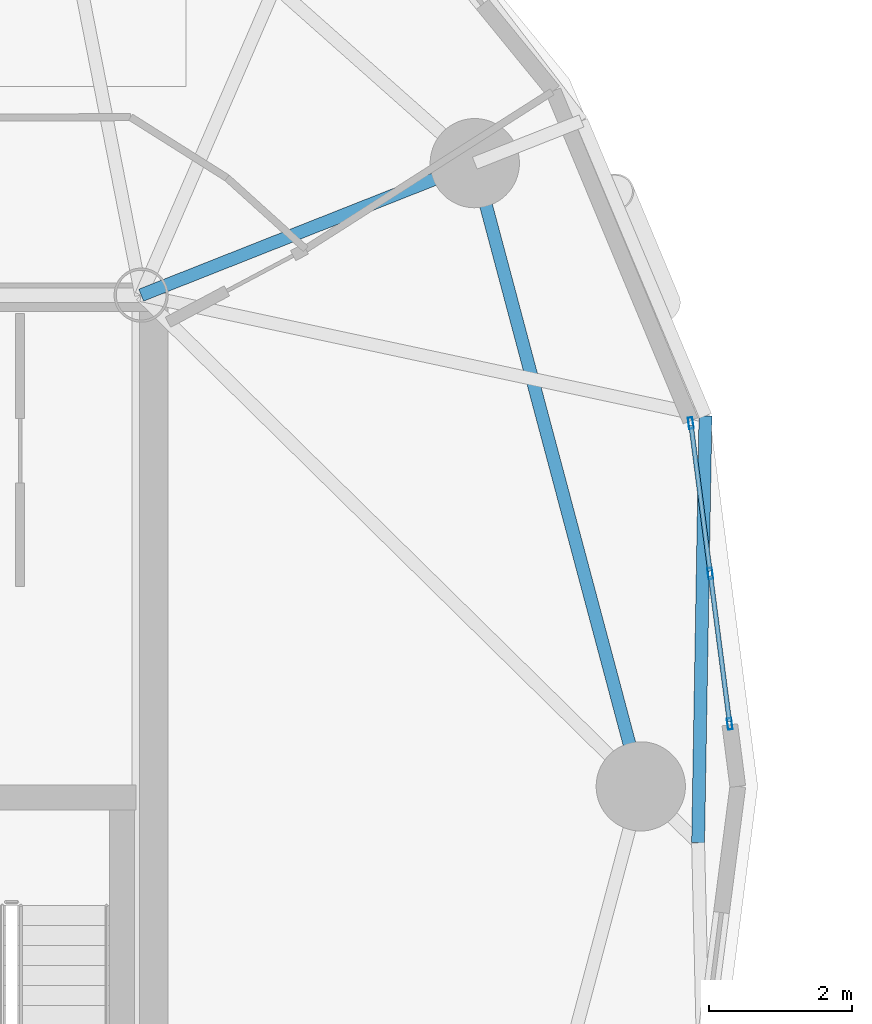
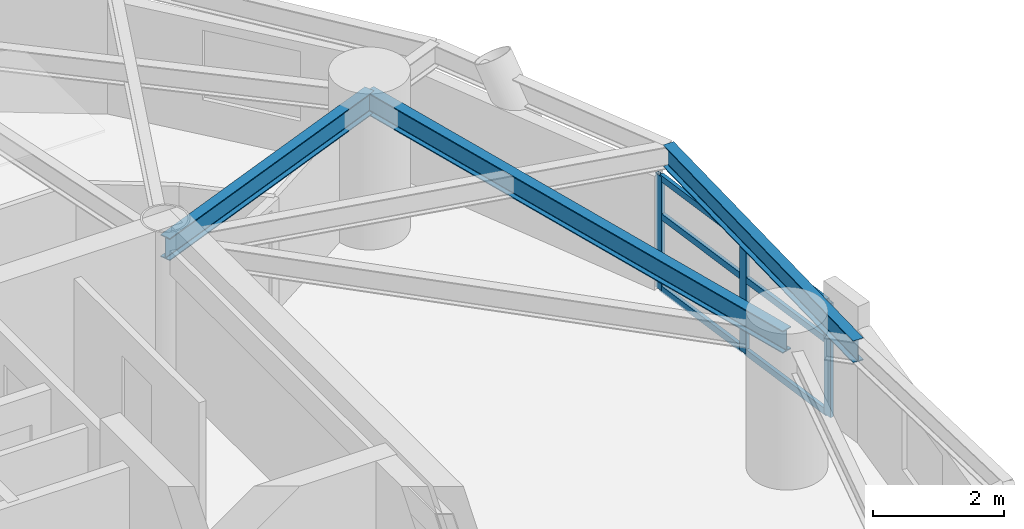
# One storey, part 3 of 15: 9 members, 3 beams, 1 element without a shape of its own.
"""IFC4 building model written with IfcOpenShell, lengths in metres."""

import ifcopenshell
import ifcopenshell.guid

model = None  # the IFC model being written
_history = None  # IfcOwnerHistory: only IFC2X3 demands one
_inside = {}  # id of a spatial element -> (the spatial element, [elements in it])
_under = {}  # id of a project, library or spatial element -> (it, [spatial elements below it])
_declared = {}  # id of a project -> (the project, [libraries it declares])
_typed = {}  # id of a type object -> (the type object, [elements of that type])
_made_of = {}  # id of a material, layer set ... -> (it, [elements and type objects made of it])


def new_model(schema):
    """Start an empty IFC model of exactly this schema.

    Asked for "IFC4X3", IfcOpenShell would pick the latest addendum, in which some entities
    have other attributes; the version numbers below select the first issue.
    IFC2X3 requires an IfcOwnerHistory on every rooted entity: one is made here for all.
    """
    global model, _history
    if schema == "IFC4X3":
        model = ifcopenshell.file(schema_version=(4, 3, 0, 0))
    else:
        model = ifcopenshell.file(schema=schema)
    _inside.clear()
    _under.clear()
    _declared.clear()
    _typed.clear()
    _made_of.clear()
    _history = None
    if model.schema == "IFC2X3":
        org = make("IfcOrganization", Name="unknown")
        user = make(
            "IfcPersonAndOrganization",
            ThePerson=make("IfcPerson", FamilyName="unknown"),
            TheOrganization=org,
        )
        app = make(
            "IfcApplication",
            ApplicationDeveloper=org,
            Version="unknown",
            ApplicationFullName="unknown",
            ApplicationIdentifier="unknown",
        )
        _history = make(
            "IfcOwnerHistory",
            OwningUser=user,
            OwningApplication=app,
            ChangeAction="ADDED",
            CreationDate=0,
        )
    return model


def make(cls, **values):
    """One entity of the class cls with the attributes given. An attribute that is None is left unset."""
    return model.create_entity(
        cls, **{name: value for name, value in values.items() if value is not None}
    )


def rooted(cls, **values):
    """An entity with a GlobalId (a new one), such as an element, a storey or a relation."""
    return make(cls, GlobalId=ifcopenshell.guid.new(), OwnerHistory=_history, **values)


def si_unit(unit_type, name, prefix=None):
    """IfcSIUnit, for example si_unit("LENGTHUNIT", "METRE", prefix="MILLI")."""
    return make("IfcSIUnit", UnitType=unit_type, Prefix=prefix, Name=name)


def assignment(units):
    """IfcUnitAssignment: the units of a project."""
    return None if units is None else make("IfcUnitAssignment", Units=units)


def point(xyz):
    """IfcCartesianPoint."""
    return None if xyz is None else make("IfcCartesianPoint", Coordinates=xyz)


def direction(xyz):
    """IfcDirection."""
    return None if xyz is None else make("IfcDirection", DirectionRatios=xyz)


def frame(location, z_axis=None, x_axis=None):
    """IfcAxis2Placement3D, a coordinate frame: its origin and axes. An axis left out is left unset."""
    return make(
        "IfcAxis2Placement3D",
        Location=point(location),
        Axis=direction(z_axis),
        RefDirection=direction(x_axis),
    )


def frame_2d(location, x_axis=None):
    """IfcAxis2Placement2D, a coordinate frame in the plane: its origin and x axis."""
    return make(
        "IfcAxis2Placement2D", Location=point(location), RefDirection=direction(x_axis)
    )


def origin():
    """The frame at (0, 0, 0) with its axes left unset."""
    return frame((0.0, 0.0, 0.0))


def origin_2d():
    """The frame at (0, 0) in the plane with its x axis left unset."""
    return frame_2d((0.0, 0.0))


def place(relative_to, where):
    """IfcLocalPlacement: puts the frame where relative to a parent placement (None: the world)."""
    return make(
        "IfcLocalPlacement", PlacementRelTo=relative_to, RelativePlacement=where
    )


def context(
    kind, dimensions, precision=None, world=None, true_north=None, identifier=None
):
    """IfcGeometricRepresentationContext, for example the 3D "Model" context."""
    return make(
        "IfcGeometricRepresentationContext",
        ContextIdentifier=identifier,
        ContextType=kind,
        CoordinateSpaceDimension=dimensions,
        Precision=precision,
        WorldCoordinateSystem=world,
        TrueNorth=true_north,
    )


def subcontext(parent, identifier, kind, view, scale=None):
    """IfcGeometricRepresentationSubContext, for example "Body" below "Model"."""
    return make(
        "IfcGeometricRepresentationSubContext",
        ContextIdentifier=identifier,
        ContextType=kind,
        ParentContext=parent,
        TargetScale=scale,
        TargetView=view,
    )


def project(units=None, contexts=None):
    """IfcProject with its units and contexts."""
    return rooted(
        "IfcProject",
        Name="project",
        RepresentationContexts=contexts,
        UnitsInContext=assignment(units),
    )


def spatial(cls, under=None, at=None, **own):
    """A site, building, storey or space (cls), placed at a placement, below another one or the project."""
    s = rooted(cls, ObjectPlacement=at, **own)
    if under is not None:
        _under.setdefault(under.id(), (under, []))[1].append(s)
    return s


def profile(cls, at=None, kind="AREA", **sizes):
    """A parametric profile (cls). Its sizes go by their IFC names, for example OverallWidth=200.0."""
    return make(cls, ProfileType=kind, Position=at, **sizes)


def hollow_rectangle(**sizes):
    """IfcRectangleHollowProfileDef."""
    return profile("IfcRectangleHollowProfileDef", **sizes)


def i_section(**sizes):
    """IfcIShapeProfileDef."""
    return profile("IfcIShapeProfileDef", **sizes)


def extrude(swept, where, along, depth):
    """IfcExtrudedAreaSolid: the profile swept, set in the frame where, extruded along a direction by depth."""
    return make(
        "IfcExtrudedAreaSolid",
        SweptArea=swept,
        Position=where,
        ExtrudedDirection=direction(along),
        Depth=depth,
    )


def shape(context_of_items, identifier, shape_type, items):
    """IfcShapeRepresentation: the items that make up one representation, for example the "Body"."""
    return make(
        "IfcShapeRepresentation",
        ContextOfItems=context_of_items,
        RepresentationIdentifier=identifier,
        RepresentationType=shape_type,
        Items=items,
    )


def material(Name=None, Category=None):
    """IfcMaterial."""
    return make("IfcMaterial", Name=Name, Category=Category)


def layer(
    of_material, thickness, ventilated=None, Name=None, Category=None, Priority=None
):
    """IfcMaterialLayer: one layer of a wall or slab, of a material (None: an air gap)."""
    return make(
        "IfcMaterialLayer",
        Material=of_material,
        LayerThickness=thickness,
        IsVentilated=ventilated,
        Name=Name,
        Category=Category,
        Priority=Priority,
    )


def layer_set(layers, Name=None):
    """IfcMaterialLayerSet."""
    return make("IfcMaterialLayerSet", MaterialLayers=layers, LayerSetName=Name)


def material_profile(
    of_material, cross_section, Name=None, Category=None, Priority=None
):
    """IfcMaterialProfile: a cross section and its material."""
    return make(
        "IfcMaterialProfile",
        Name=Name,
        Material=of_material,
        Profile=cross_section,
        Priority=Priority,
        Category=Category,
    )


def profile_set(profiles, Name=None, composite=None):
    """IfcMaterialProfileSet."""
    return make(
        "IfcMaterialProfileSet",
        Name=Name,
        MaterialProfiles=profiles,
        CompositeProfile=composite,
    )


def made_of(thing, what):
    """Note that an element or type object is made of a material, layer set ...; save() writes the relation."""
    if what is not None:
        _made_of.setdefault(what.id(), (what, []))[1].append(thing)
    return thing


def type_object(cls, material=None, **own):
    """A type object (cls), such as IfcWallType, which elements share."""
    return made_of(rooted(cls, **own), material)


def element(
    cls,
    number,
    at=None,
    inside=None,
    cuts=None,
    type_object=None,
    material=None,
    context=None,
    identifier="Body",
    shape_type=None,
    held_by="IfcProductDefinitionShape",
    body=None,
    shapes=None,
    **own,
):
    """One element of the class cls, such as IfcWall. Its Tag is "e" and its number.

    at: its placement. inside: the storey or other place that contains it. cuts: it is an
    opening in that element (IfcRelVoidsElement). A single representation is given by context,
    identifier, shape_type and body (its items); several are given by shapes. held_by: the class
    of the entity that holds the representations. save() writes the other relations.
    """
    e = rooted(cls, Tag="e%d" % number, ObjectPlacement=at, **own)
    if body is not None:
        shapes = [shape(context, identifier, shape_type, body)]
    if shapes is not None:
        e.Representation = make(held_by, Representations=shapes)
    if inside is not None:
        _inside.setdefault(inside.id(), (inside, []))[1].append(e)
    if cuts is not None:
        rooted(
            "IfcRelVoidsElement", RelatingBuildingElement=cuts, RelatedOpeningElement=e
        )
    if type_object is not None:
        _typed.setdefault(type_object.id(), (type_object, []))[1].append(e)
    return made_of(e, material)


def aggregate(whole, parts):
    """IfcRelAggregates: a whole, such as a stair, and the parts it consists of."""
    return rooted("IfcRelAggregates", RelatingObject=whole, RelatedObjects=parts)


def save(model, path):
    """Write the relations noted so far, then the file.

    IfcRelAggregates (storeys below a building ...), IfcRelContainedInSpatialStructure (elements
    in a storey), IfcRelDefinesByType, IfcRelAssociatesMaterial and IfcRelDeclares: one each for
    every whole, place, type object, material and project.
    """
    for whole, parts in _under.values():
        aggregate(whole, parts)
    for where, things in _inside.values():
        rooted(
            "IfcRelContainedInSpatialStructure",
            RelatedElements=things,
            RelatingStructure=where,
        )
    for kind, things in _typed.values():
        rooted("IfcRelDefinesByType", RelatedObjects=things, RelatingType=kind)
    for what, things in _made_of.values():
        rooted("IfcRelAssociatesMaterial", RelatedObjects=things, RelatingMaterial=what)
    for by, libraries in _declared.values():
        rooted("IfcRelDeclares", RelatingContext=by, RelatedDefinitions=libraries)
    model.write(path)


model = new_model("IFC4")

# Units and contexts
model_context = context("Model", 3, precision=1e-05, world=origin(), true_north=direction((0.0, 1.0)))
body_context = subcontext(model_context, "Body", "Model", "MODEL_VIEW")
ifc_project = project(units=[si_unit("LENGTHUNIT", "METRE"), si_unit("AREAUNIT", "SQUARE_METRE"), si_unit("VOLUMEUNIT", "CUBIC_METRE"), si_unit("PLANEANGLEUNIT", "RADIAN"), si_unit("MASSUNIT", "GRAM", prefix="KILO")], contexts=[model_context])

# Site, building, storey
site_placement = place(None, origin())
site = spatial("IfcSite", under=ifc_project, at=site_placement, CompositionType="ELEMENT")
building_placement = place(site_placement, origin())
building = spatial("IfcBuilding", under=site, at=building_placement, Name="Cununo Teusaquillo Station Towers", CompositionType="ELEMENT")
storey_placement = place(building_placement, frame((0.0, 0.0, 189.429931640625)))
storey = spatial("IfcBuildingStorey", under=building, at=storey_placement, Name="L60", CompositionType="ELEMENT", Elevation=189.429931640625)

# Beams
ifc_material_1 = material(Name="Steel ASTM A572 Grade 50", Category="steel")
ifc_material_profile_1 = material_profile(ifc_material_1, i_section(OverallWidth=0.180908203125, OverallDepth=0.4169921875, WebThickness=0.010986328125, FlangeThickness=0.018310546875, FilletRadius=0.012939453125, at=origin_2d()), Name="W16X57")
ifc_profile_set_1 = profile_set([ifc_material_profile_1], Name="Steel ASTM A572 Grade 50")
beam_type_1 = type_object("IfcBeamType", Name="BM-RAD-G2", PredefinedType="BEAM", material=ifc_profile_set_1)
beam_1_placement = place(storey_placement, frame((21.675048828125, 31.3798828125, 2.361572265625), z_axis=(0.929864104313, 0.367903176814, 0.0), x_axis=(-0.367903176814, 0.929864104313, 0.0)))
element("IfcBeam", 1, at=beam_1_placement, inside=storey, type_object=beam_type_1, Name="L60 Tower A Radial Girder 02A", PredefinedType="BEAM", context=body_context, shape_type="SweptSolid", body=[
    extrude(i_section(OverallWidth=0.180908203125, OverallDepth=0.4169921875, WebThickness=0.010986328125, FlangeThickness=0.018310546875, FilletRadius=0.012939453125, at=origin_2d()), origin(), (0.0, 0.0, 1.0), 5.02490234375),
])
ifc_material_2 = material(Name="Steel ASTM A572 Grade 50", Category="steel")
ifc_material_profile_2 = material_profile(ifc_material_2, i_section(OverallWidth=0.180908203125, OverallDepth=0.4169921875, WebThickness=0.010986328125, FlangeThickness=0.018310546875, FilletRadius=0.012939453125, at=origin_2d()), Name="W16X57")
ifc_profile_set_2 = profile_set([ifc_material_profile_2], Name="Steel ASTM A572 Grade 50")
beam_type_2 = type_object("IfcBeamType", Name="BM-RING-Z3", PredefinedType="SPANDREL", material=ifc_profile_set_2)
beam_2_placement = place(storey_placement, frame((28.672119140625, 24.5, 2.361572265625), z_axis=(-0.257363196347, 0.966314744359, 0.0), x_axis=(-0.966314744359, -0.257363196347, 0.0)))
element("IfcBeam", 2, at=beam_2_placement, inside=storey, type_object=beam_type_2, Name="L60 Tower A Structural Column Ring Girder 01", PredefinedType="SPANDREL", context=body_context, shape_type="SweptSolid", body=[
    extrude(i_section(OverallWidth=0.180908203125, OverallDepth=0.4169921875, WebThickness=0.010986328125, FlangeThickness=0.018310546875, FilletRadius=0.012939453125, at=origin_2d()), origin(), (0.0, 0.0, 1.0), 9.03271484375),
])
beam_3_placement = place(storey_placement, frame((29.474853515625, 23.710693359375, 2.361572265625), z_axis=(0.017232482627, 0.999851509747, 0.0), x_axis=(-0.999851509747, 0.017232482627, 0.0)))
element("IfcBeam", 3, at=beam_3_placement, inside=storey, type_object=beam_type_2, Name="L60 Tower A Spandrel Ring Beam 01", PredefinedType="SPANDREL", context=body_context, shape_type="SweptSolid", body=[
    extrude(i_section(OverallWidth=0.180908203125, OverallDepth=0.4169921875, WebThickness=0.010986328125, FlangeThickness=0.018310546875, FilletRadius=0.012939453125, at=origin_2d()), origin(), (0.0, 0.0, 1.0), 5.978759765625),
])

# Curtain wall, members
ifc_material_3 = material(Name="Operable acoustic tinted low-E double glazing", Category="glass")
ifc_layer = layer(ifc_material_3, 0.179931640625)
ifc_layer_set = layer_set([ifc_layer], Name="Operable acoustic tinted low-E double glazing")
curtain_wall_type = type_object("IfcCurtainWallType", Name="CW-SYS-06", PredefinedType="USERDEFINED", material=ifc_layer_set)
curtain_wall_placement = place(storey_placement, origin())
curtain_wall = element("IfcCurtainWall", 4, at=curtain_wall_placement, inside=storey, type_object=curtain_wall_type, Name="L60 Tower A Facade Curtain Wall C00", ObjectType="OPERABLE GLAZING", PredefinedType="USERDEFINED")
ifc_material_4 = material(Name="Anodised dark bronze aluminium EN AW-6063-T6", Category="aluminium")
ifc_material_profile_3 = material_profile(ifc_material_4, hollow_rectangle(XDim=0.06494140625, YDim=0.159912109375, WallThickness=0.00390625, at=origin_2d()), Name="CW-MULL-65x160")
ifc_profile_set_3 = profile_set([ifc_material_profile_3], Name="Anodised dark bronze aluminium EN AW-6063-T6")
member_type_1 = type_object("IfcMemberType", Name="CWM-160", PredefinedType="MULLION", material=ifc_profile_set_3)
member_1_placement = place(storey_placement, frame((29.372802734375, 29.588134765625, 0.0), z_axis=(0.0, 0.0, 1.0), x_axis=(0.991737283761, 0.128285462927, 0.0)))
member_1 = element("IfcMember", 5, at=member_1_placement, type_object=member_type_1, Name="CW-06 mullion 1", PredefinedType="MULLION", context=body_context, shape_type="SweptSolid", body=[
    extrude(hollow_rectangle(XDim=0.06494140625, YDim=0.159912109375, WallThickness=0.00390625, at=origin_2d()), origin(), (0.0, 0.0, 1.0), 2.125),
])
member_2_placement = place(storey_placement, frame((29.645263671875, 27.481689453125, 0.0), z_axis=(0.0, 0.0, 1.0), x_axis=(0.991737283761, 0.128285462927, 0.0)))
member_2 = element("IfcMember", 6, at=member_2_placement, type_object=member_type_1, Name="CW-06 mullion 2", PredefinedType="MULLION", context=body_context, shape_type="SweptSolid", body=[
    extrude(hollow_rectangle(XDim=0.06494140625, YDim=0.159912109375, WallThickness=0.00390625, at=origin_2d()), origin(), (0.0, 0.0, 1.0), 2.125),
])
member_3_placement = place(storey_placement, frame((29.917724609375, 25.375244140625, 0.0), z_axis=(0.0, 0.0, 1.0), x_axis=(0.991737283761, 0.128285462927, 0.0)))
member_3 = element("IfcMember", 7, at=member_3_placement, type_object=member_type_1, Name="CW-06 mullion 3", PredefinedType="MULLION", context=body_context, shape_type="SweptSolid", body=[
    extrude(hollow_rectangle(XDim=0.06494140625, YDim=0.159912109375, WallThickness=0.00390625, at=origin_2d()), origin(), (0.0, 0.0, 1.0), 2.125),
])
ifc_material_5 = material(Name="Anodised dark bronze aluminium EN AW-6063-T6", Category="aluminium")
ifc_material_profile_4 = material_profile(ifc_material_5, hollow_rectangle(XDim=0.06494140625, YDim=0.1201171875, WallThickness=0.00390625, at=origin_2d()), Name="CW-TRAN-65x120")
ifc_profile_set_4 = profile_set([ifc_material_profile_4], Name="Anodised dark bronze aluminium EN AW-6063-T6")
member_type_2 = type_object("IfcMemberType", Name="CWT-120", PredefinedType="USERDEFINED", material=ifc_profile_set_4)
member_4_placement = place(storey_placement, frame((29.376953125, 29.555908203125, 0.032470703125), z_axis=(0.128294885484, -0.991736064867, 0.0), x_axis=(0.991736064867, 0.128294885484, 0.0)))
member_4 = element("IfcMember", 8, at=member_4_placement, type_object=member_type_2, Name="CW-06 transom 1.1", ObjectType="TRANSOM", PredefinedType="USERDEFINED", context=body_context, shape_type="SweptSolid", body=[
    extrude(hollow_rectangle(XDim=0.06494140625, YDim=0.1201171875, WallThickness=0.00390625, at=origin_2d()), origin(), (0.0, 0.0, 1.0), 2.05908203125),
])
member_5_placement = place(storey_placement, frame((29.376953125, 29.555908203125, 1.381103515625), z_axis=(0.128294885484, -0.991736064867, 0.0), x_axis=(0.991736064867, 0.128294885484, 0.0)))
member_5 = element("IfcMember", 9, at=member_5_placement, type_object=member_type_2, Name="CW-06 transom 1.2", ObjectType="TRANSOM", PredefinedType="USERDEFINED", context=body_context, shape_type="SweptSolid", body=[
    extrude(hollow_rectangle(XDim=0.06494140625, YDim=0.1201171875, WallThickness=0.00390625, at=origin_2d()), origin(), (0.0, 0.0, 1.0), 2.05908203125),
])
member_6_placement = place(storey_placement, frame((29.376953125, 29.555908203125, 2.092529296875), z_axis=(0.128294885484, -0.991736064867, 0.0), x_axis=(0.991736064867, 0.128294885484, 0.0)))
member_6 = element("IfcMember", 10, at=member_6_placement, type_object=member_type_2, Name="CW-06 transom 1.3", ObjectType="TRANSOM", PredefinedType="USERDEFINED", context=body_context, shape_type="SweptSolid", body=[
    extrude(hollow_rectangle(XDim=0.06494140625, YDim=0.1201171875, WallThickness=0.00390625, at=origin_2d()), origin(), (0.0, 0.0, 1.0), 2.05908203125),
])
member_7_placement = place(storey_placement, frame((29.6494140625, 27.449462890625, 0.032470703125), z_axis=(0.128294885484, -0.991736064867, 0.0), x_axis=(0.991736064867, 0.128294885484, 0.0)))
member_7 = element("IfcMember", 11, at=member_7_placement, type_object=member_type_2, Name="CW-06 transom 2.1", ObjectType="TRANSOM", PredefinedType="USERDEFINED", context=body_context, shape_type="SweptSolid", body=[
    extrude(hollow_rectangle(XDim=0.06494140625, YDim=0.1201171875, WallThickness=0.00390625, at=origin_2d()), origin(), (0.0, 0.0, 1.0), 2.05908203125),
])
member_8_placement = place(storey_placement, frame((29.6494140625, 27.449462890625, 1.381103515625), z_axis=(0.128294885484, -0.991736064867, 0.0), x_axis=(0.991736064867, 0.128294885484, 0.0)))
member_8 = element("IfcMember", 12, at=member_8_placement, type_object=member_type_2, Name="CW-06 transom 2.2", ObjectType="TRANSOM", PredefinedType="USERDEFINED", context=body_context, shape_type="SweptSolid", body=[
    extrude(hollow_rectangle(XDim=0.06494140625, YDim=0.1201171875, WallThickness=0.00390625, at=origin_2d()), origin(), (0.0, 0.0, 1.0), 2.05908203125),
])
member_9_placement = place(storey_placement, frame((29.6494140625, 27.449462890625, 2.092529296875), z_axis=(0.128294885484, -0.991736064867, 0.0), x_axis=(0.991736064867, 0.128294885484, 0.0)))
member_9 = element("IfcMember", 13, at=member_9_placement, type_object=member_type_2, Name="CW-06 transom 2.3", ObjectType="TRANSOM", PredefinedType="USERDEFINED", context=body_context, shape_type="SweptSolid", body=[
    extrude(hollow_rectangle(XDim=0.06494140625, YDim=0.1201171875, WallThickness=0.00390625, at=origin_2d()), origin(), (0.0, 0.0, 1.0), 2.05908203125),
])
aggregate(curtain_wall, [member_1, member_2, member_3, member_4, member_5, member_6, member_7, member_8, member_9])

save(model, "model.ifc")
